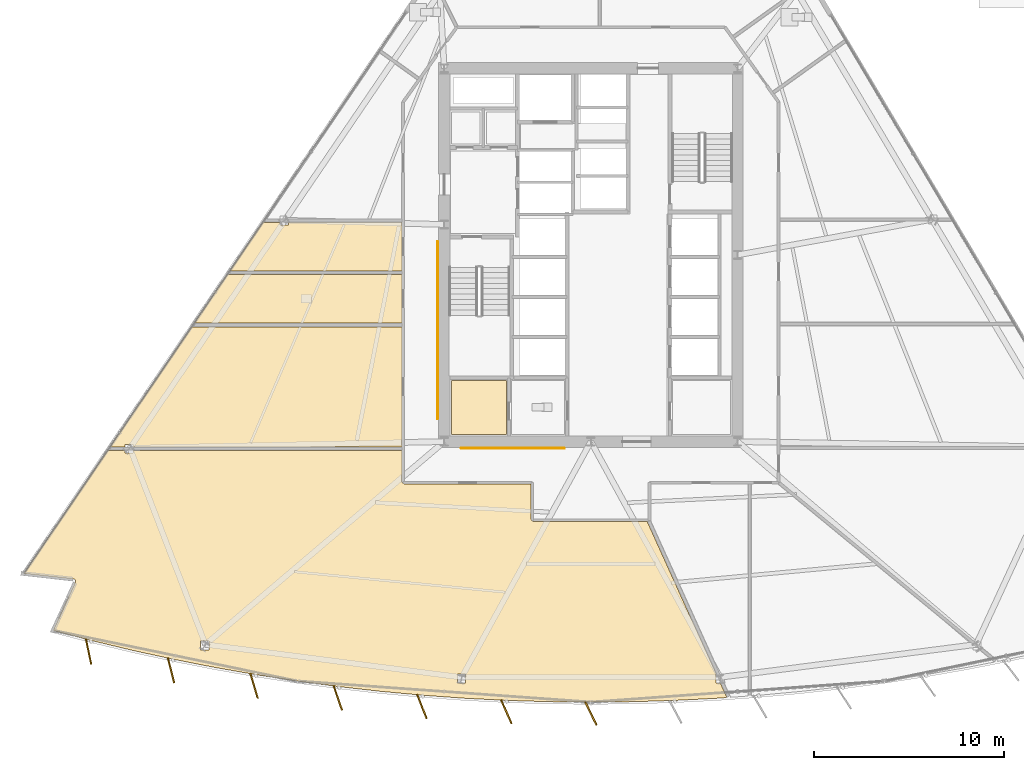
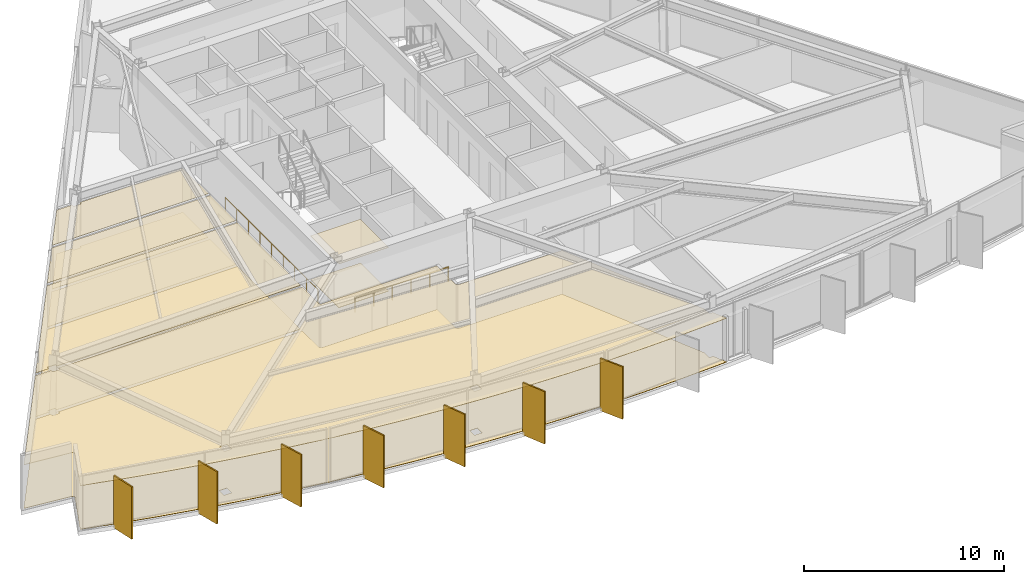
# One storey, part 12 of 16: 10 coverings, 7 shading devices, 2 railings.
"""IFC4 building model written with IfcOpenShell, lengths in metres."""

from ifc_helpers import new_model, si_unit, direction, frame, origin, origin_2d, place, context, subcontext, project, spatial, polyline, rectangle, circle, outline, extrude, material, layer, layer_set, type_object, element, save


model = new_model("IFC4")

# Units and contexts
model_context = context("Model", 3, precision=1e-05, world=origin(), true_north=direction((0.0, 1.0)))
body_context = subcontext(model_context, "Body", "Model", "MODEL_VIEW")
ifc_project = project(units=[si_unit("LENGTHUNIT", "METRE"), si_unit("AREAUNIT", "SQUARE_METRE"), si_unit("VOLUMEUNIT", "CUBIC_METRE"), si_unit("PLANEANGLEUNIT", "RADIAN"), si_unit("MASSUNIT", "GRAM", prefix="KILO")], contexts=[model_context])

# Site, building, storey
site_placement = place(None, origin())
site = spatial("IfcSite", under=ifc_project, at=site_placement, CompositionType="ELEMENT")
building_placement = place(site_placement, origin())
building = spatial("IfcBuilding", under=site, at=building_placement, Name="Savorim Split Tower", CompositionType="ELEMENT")
storey_placement = place(building_placement, frame((0.0, 0.0, 30.0)))
storey = spatial("IfcBuildingStorey", under=building, at=storey_placement, Name="L07", CompositionType="ELEMENT", Elevation=30.0)

# Coverings
ifc_material_1 = material(Name="Mineral Fibre Acoustic Ceiling")
ifc_layer_1 = layer(ifc_material_1, 0.02490234375)
ifc_layer_set_1 = layer_set([ifc_layer_1], Name="COV-CEIL-25")
covering_type_1 = type_object("IfcCoveringType", Name="COV-CEIL-25", PredefinedType="CEILING", material=ifc_layer_set_1)
covering_1_placement = place(storey_placement, frame((0.0, 0.0, 2.669921875)))
element("IfcCovering", 1, at=covering_1_placement, inside=storey, type_object=covering_type_1, Name="L07 Housekeeping Store Acoustic Ceiling", PredefinedType="CEILING", context=body_context, shape_type="SweptSolid", body=[
    extrude(outline(polyline([(-7.320068359375, -6.179931640625), (-7.320068359375, -9.02001953125), (-4.429931640625, -9.02001953125), (-4.429931640625, -6.179931640625), (-7.320068359375, -6.179931640625)])), origin(), (0.0, 0.0, 1.0), 0.025146484375),
])
covering_2_placement = place(storey_placement, frame((0.0, 0.0, 2.669921875)))
element("IfcCovering", 2, at=covering_2_placement, inside=storey, type_object=covering_type_1, Name="L07 Shared Kitchen Acoustic Ceiling", PredefinedType="CEILING", context=body_context, shape_type="SweptSolid", body=[
    extrude(outline(polyline([(-19.0859375, -0.6298828125), (-20.8203125, -3.1796875), (-9.919921875, -3.1796875), (-9.919921875, -0.6298828125), (-19.0859375, -0.6298828125)])), origin(), (0.0, 0.0, 1.0), 0.025146484375),
])
covering_3_placement = place(storey_placement, frame((0.0, 0.0, 2.669921875)))
element("IfcCovering", 3, at=covering_3_placement, inside=storey, type_object=covering_type_1, Name="L07 Maker Workshop Acoustic Ceiling", PredefinedType="CEILING", context=body_context, shape_type="SweptSolid", body=[
    extrude(outline(polyline([(-24.030517578125, -9.544921875), (-24.030517578125, -9.682861328125), (-9.919921875, -9.682861328125), (-9.919921875, -3.36962890625), (-20.94970703125, -3.36962890625), (-25.244384765625, -9.682861328125), (-24.466552734375, -9.682861328125), (-24.466552734375, -9.544921875), (-24.030517578125, -9.544921875)])), origin(), (0.0, 0.0, 1.0), 0.025146484375),
])
covering_4_placement = place(storey_placement, frame((0.0, 0.0, 2.669921875)))
element("IfcCovering", 4, at=covering_4_placement, inside=storey, type_object=covering_type_1, Name="L07 Co-Working Commons Acoustic Ceiling", PredefinedType="CEILING", context=body_context, shape_type="SweptSolid", body=[
    extrude(outline(polyline([(-27.05615234375, -16.739990234375), (-27.056884765625, -16.751708984375), (-27.05908203125, -16.763671875), (-27.0625, -16.77490234375), (-27.06689453125, -16.7861328125), (-28.231201171875, -19.320068359375), (-26.232177734375, -19.843017578125), (-24.0849609375, -20.357666015625), (-21.927490234375, -20.82861328125), (-19.760986328125, -21.255126953125), (-17.586181640625, -21.63720703125), (-15.404296875, -21.974853515625), (-13.215576171875, -22.267578125), (-11.021484375, -22.515625), (-8.82275390625, -22.71875), (-6.6201171875, -22.876708984375), (-4.4150390625, -22.989501953125), (-2.2080078125, -23.057373046875), (0.0, -23.080078125), (2.2080078125, -23.057373046875), (4.4150390625, -22.989501953125), (6.6201171875, -22.876708984375), (7.141845703125, -22.83935546875), (6.7958984375, -22.074951171875), (6.57666015625, -22.074951171875), (6.57666015625, -21.60888671875), (6.584716796875, -21.60888671875), (2.967041015625, -13.618408203125), (2.9541015625, -13.590087890625), (-3.0, -13.590087890625), (-3.013671875, -13.58935546875), (-3.02734375, -13.58740234375), (-3.04052734375, -13.583984375), (-3.0537109375, -13.579345703125), (-3.06591796875, -13.573486328125), (-3.077880859375, -13.56640625), (-3.0888671875, -13.55810546875), (-3.09912109375, -13.549072265625), (-3.108154296875, -13.538818359375), (-3.116455078125, -13.52783203125), (-3.12353515625, -13.51611328125), (-3.12939453125, -13.503662109375), (-3.134033203125, -13.490478515625), (-3.13720703125, -13.477294921875), (-3.139404296875, -13.463623046875), (-3.139892578125, -13.449951171875), (-3.139892578125, -11.6201171875), (-9.780029296875, -11.6201171875), (-9.793701171875, -11.619384765625), (-9.807373046875, -11.6171875), (-9.820556640625, -11.614013671875), (-9.83349609375, -11.609375), (-9.845947265625, -11.603515625), (-9.85791015625, -11.596435546875), (-9.868896484375, -11.588134765625), (-9.87890625, -11.5791015625), (-9.88818359375, -11.56884765625), (-9.896484375, -11.557861328125), (-9.903564453125, -11.5458984375), (-9.9091796875, -11.53369140625), (-9.9140625, -11.5205078125), (-9.917236328125, -11.50732421875), (-9.919189453125, -11.49365234375), (-9.919921875, -11.47998046875), (-9.919921875, -9.872802734375), (-24.030517578125, -9.872802734375), (-24.030517578125, -10.010986328125), (-24.466552734375, -10.010986328125), (-24.466552734375, -9.872802734375), (-25.24853515625, -9.872802734375), (-25.343505859375, -9.872802734375), (-25.343505859375, -9.82861328125), (-29.763916015625, -16.326416015625), (-27.16259765625, -16.61669921875), (-27.15087890625, -16.61865234375), (-27.139404296875, -16.62158203125), (-27.128173828125, -16.6259765625), (-27.117431640625, -16.631103515625), (-27.107421875, -16.637451171875), (-27.097900390625, -16.644775390625), (-27.08935546875, -16.653076171875), (-27.08154296875, -16.662109375), (-27.07470703125, -16.671875), (-27.068603515625, -16.68212890625), (-27.06396484375, -16.693115234375), (-27.060302734375, -16.70458984375), (-27.0576171875, -16.716064453125), (-27.056396484375, -16.72802734375), (-27.05615234375, -16.739990234375)]), holes=[polyline([(-20.490966796875, -20.344482421875), (-20.054931640625, -20.344482421875), (-20.054931640625, -19.87841796875), (-20.490966796875, -19.87841796875), (-20.490966796875, -20.344482421875)]), polyline([(-7.0126953125, -22.074951171875), (-6.57666015625, -22.074951171875), (-6.57666015625, -21.60888671875), (-7.0126953125, -21.60888671875), (-7.0126953125, -22.074951171875)])]), origin(), (0.0, 0.0, 1.0), 0.025146484375),
])
covering_5_placement = place(storey_placement, frame((0.0, 0.0, 2.669921875)))
element("IfcCovering", 5, at=covering_5_placement, inside=storey, type_object=covering_type_1, Name="L07 Co-Living Bedroom Acoustic Ceiling", PredefinedType="CEILING", context=body_context, shape_type="SweptSolid", body=[
    extrude(outline(polyline([(-16.314697265625, 2.110107421875), (-17.096923828125, 2.110107421875), (-17.19189453125, 2.110107421875), (-17.19189453125, 2.154296875), (-18.95654296875, -0.439697265625), (-9.919921875, -0.439697265625), (-9.919921875, 2.110107421875), (-15.87890625, 2.110107421875), (-15.87890625, 1.971923828125), (-16.314697265625, 1.971923828125), (-16.314697265625, 2.110107421875)])), origin(), (0.0, 0.0, 1.0), 0.025146484375),
])
ifc_material_2 = material(Name="Porcelain Stoneware Flooring", Category="masonry")
ifc_layer_2 = layer(ifc_material_2, 0.02001953125)
ifc_layer_set_2 = layer_set([ifc_layer_2], Name="COV-FLOR-20")
covering_type_2 = type_object("IfcCoveringType", Name="COV-FLOR-20", PredefinedType="FLOORING", material=ifc_layer_set_2)
covering_6_placement = place(storey_placement, origin())
element("IfcCovering", 6, at=covering_6_placement, inside=storey, type_object=covering_type_2, Name="L07 Housekeeping Store Porcelain Flooring", PredefinedType="FLOORING", context=body_context, shape_type="SweptSolid", body=[
    extrude(outline(polyline([(-7.320068359375, -6.179931640625), (-7.320068359375, -9.02001953125), (-4.429931640625, -9.02001953125), (-4.429931640625, -6.179931640625), (-7.320068359375, -6.179931640625)])), origin(), (0.0, 0.0, 1.0), 0.02001953125),
])
covering_7_placement = place(storey_placement, origin())
element("IfcCovering", 7, at=covering_7_placement, inside=storey, type_object=covering_type_2, Name="L07 Shared Kitchen Porcelain Flooring", PredefinedType="FLOORING", context=body_context, shape_type="SweptSolid", body=[
    extrude(outline(polyline([(-19.0859375, -0.6298828125), (-20.8203125, -3.1796875), (-9.919921875, -3.1796875), (-9.919921875, -0.6298828125), (-19.0859375, -0.6298828125)])), origin(), (0.0, 0.0, 1.0), 0.02001953125),
])
covering_8_placement = place(storey_placement, origin())
element("IfcCovering", 8, at=covering_8_placement, inside=storey, type_object=covering_type_2, Name="L07 Maker Workshop Porcelain Flooring", PredefinedType="FLOORING", context=body_context, shape_type="SweptSolid", body=[
    extrude(outline(polyline([(-24.030517578125, -9.544921875), (-24.030517578125, -9.682861328125), (-9.919921875, -9.682861328125), (-9.919921875, -3.36962890625), (-20.94970703125, -3.36962890625), (-25.244384765625, -9.682861328125), (-24.466552734375, -9.682861328125), (-24.466552734375, -9.544921875), (-24.030517578125, -9.544921875)])), origin(), (0.0, 0.0, 1.0), 0.02001953125),
])
covering_9_placement = place(storey_placement, origin())
element("IfcCovering", 9, at=covering_9_placement, inside=storey, type_object=covering_type_2, Name="L07 Co-Working Commons Porcelain Flooring", PredefinedType="FLOORING", context=body_context, shape_type="SweptSolid", body=[
    extrude(outline(polyline([(-27.05615234375, -16.739990234375), (-27.056884765625, -16.751708984375), (-27.05908203125, -16.763671875), (-27.0625, -16.77490234375), (-27.06689453125, -16.7861328125), (-28.231201171875, -19.320068359375), (-26.232177734375, -19.843017578125), (-24.0849609375, -20.357666015625), (-21.927490234375, -20.82861328125), (-19.760986328125, -21.255126953125), (-17.586181640625, -21.63720703125), (-15.404296875, -21.974853515625), (-13.215576171875, -22.267578125), (-11.021484375, -22.515625), (-8.82275390625, -22.71875), (-6.6201171875, -22.876708984375), (-4.4150390625, -22.989501953125), (-2.2080078125, -23.057373046875), (0.0, -23.080078125), (2.2080078125, -23.057373046875), (4.4150390625, -22.989501953125), (6.6201171875, -22.876708984375), (7.141845703125, -22.83935546875), (6.7958984375, -22.074951171875), (6.57666015625, -22.074951171875), (6.57666015625, -21.60888671875), (6.584716796875, -21.60888671875), (2.967041015625, -13.618408203125), (2.9541015625, -13.590087890625), (-3.0, -13.590087890625), (-3.013671875, -13.58935546875), (-3.02734375, -13.58740234375), (-3.04052734375, -13.583984375), (-3.0537109375, -13.579345703125), (-3.06591796875, -13.573486328125), (-3.077880859375, -13.56640625), (-3.0888671875, -13.55810546875), (-3.09912109375, -13.549072265625), (-3.108154296875, -13.538818359375), (-3.116455078125, -13.52783203125), (-3.12353515625, -13.51611328125), (-3.12939453125, -13.503662109375), (-3.134033203125, -13.490478515625), (-3.13720703125, -13.477294921875), (-3.139404296875, -13.463623046875), (-3.139892578125, -13.449951171875), (-3.139892578125, -11.6201171875), (-9.780029296875, -11.6201171875), (-9.793701171875, -11.619384765625), (-9.807373046875, -11.6171875), (-9.820556640625, -11.614013671875), (-9.83349609375, -11.609375), (-9.845947265625, -11.603515625), (-9.85791015625, -11.596435546875), (-9.868896484375, -11.588134765625), (-9.87890625, -11.5791015625), (-9.88818359375, -11.56884765625), (-9.896484375, -11.557861328125), (-9.903564453125, -11.5458984375), (-9.9091796875, -11.53369140625), (-9.9140625, -11.5205078125), (-9.917236328125, -11.50732421875), (-9.919189453125, -11.49365234375), (-9.919921875, -11.47998046875), (-9.919921875, -9.872802734375), (-24.030517578125, -9.872802734375), (-24.030517578125, -10.010986328125), (-24.466552734375, -10.010986328125), (-24.466552734375, -9.872802734375), (-25.24853515625, -9.872802734375), (-25.343505859375, -9.872802734375), (-25.343505859375, -9.82861328125), (-29.763916015625, -16.326416015625), (-27.16259765625, -16.61669921875), (-27.15087890625, -16.61865234375), (-27.139404296875, -16.62158203125), (-27.128173828125, -16.6259765625), (-27.117431640625, -16.631103515625), (-27.107421875, -16.637451171875), (-27.097900390625, -16.644775390625), (-27.08935546875, -16.653076171875), (-27.08154296875, -16.662109375), (-27.07470703125, -16.671875), (-27.068603515625, -16.68212890625), (-27.06396484375, -16.693115234375), (-27.060302734375, -16.70458984375), (-27.0576171875, -16.716064453125), (-27.056396484375, -16.72802734375), (-27.05615234375, -16.739990234375)]), holes=[polyline([(-20.490966796875, -20.344482421875), (-20.054931640625, -20.344482421875), (-20.054931640625, -19.87841796875), (-20.490966796875, -19.87841796875), (-20.490966796875, -20.344482421875)]), polyline([(-7.0126953125, -22.074951171875), (-6.57666015625, -22.074951171875), (-6.57666015625, -21.60888671875), (-7.0126953125, -21.60888671875), (-7.0126953125, -22.074951171875)])]), origin(), (0.0, 0.0, 1.0), 0.02001953125),
])
covering_10_placement = place(storey_placement, origin())
element("IfcCovering", 10, at=covering_10_placement, inside=storey, type_object=covering_type_2, Name="L07 Co-Living Bedroom Porcelain Flooring", PredefinedType="FLOORING", context=body_context, shape_type="SweptSolid", body=[
    extrude(outline(polyline([(-16.314697265625, 2.110107421875), (-17.096923828125, 2.110107421875), (-17.19189453125, 2.110107421875), (-17.19189453125, 2.154296875), (-18.95654296875, -0.439697265625), (-9.919921875, -0.439697265625), (-9.919921875, 2.110107421875), (-15.87890625, 2.110107421875), (-15.87890625, 1.971923828125), (-16.314697265625, 1.971923828125), (-16.314697265625, 2.110107421875)])), origin(), (0.0, 0.0, 1.0), 0.02001953125),
])

# Railings
ifc_material_3 = material(Name="Galvanised Painted Steel Balustrade", Category="steel")
railing_type = type_object("IfcRailingType", Name="RLG-HR-900", PredefinedType="HANDRAIL", material=ifc_material_3)
railing_1_placement = place(storey_placement, frame((-6.800048828125, -9.75, 0.0)))
element("IfcRailing", 11, at=railing_1_placement, inside=storey, type_object=railing_type, Name="L07 Corridor South Accessible Handrail", PredefinedType="HANDRAIL", context=body_context, shape_type="SweptSolid", body=[
    extrude(circle(Radius=0.02392578125, at=origin_2d()), frame((0.0, 0.0, 0.8759765625), z_axis=(1.0, 0.0, 0.0), x_axis=(0.0, 1.0, 0.0)), (0.0, 0.0, 1.0), 5.400146484375),
    extrude(circle(Radius=0.02099609375, at=origin_2d()), origin(), (0.0, 0.0, 1.0), 0.851806640625),
    extrude(circle(Radius=0.02099609375, at=origin_2d()), frame((1.080078125, 0.0, 0.0)), (0.0, 0.0, 1.0), 0.851806640625),
    extrude(circle(Radius=0.02099609375, at=origin_2d()), frame((2.16015625, 0.0, 0.0)), (0.0, 0.0, 1.0), 0.851806640625),
    extrude(circle(Radius=0.02099609375, at=origin_2d()), frame((3.239990234375, 0.0, 0.0)), (0.0, 0.0, 1.0), 0.851806640625),
    extrude(circle(Radius=0.02099609375, at=origin_2d()), frame((4.320068359375, 0.0, 0.0)), (0.0, 0.0, 1.0), 0.851806640625),
    extrude(circle(Radius=0.02099609375, at=origin_2d()), frame((5.400146484375, 0.0, 0.0)), (0.0, 0.0, 1.0), 0.851806640625),
])
railing_2_placement = place(storey_placement, frame((-8.050048828125, -8.199951171875, 0.0)))
element("IfcRailing", 12, at=railing_2_placement, inside=storey, type_object=railing_type, Name="L07 Corridor West Accessible Handrail", PredefinedType="HANDRAIL", context=body_context, shape_type="SweptSolid", body=[
    extrude(circle(Radius=0.02392578125, at=origin_2d()), frame((0.0, 0.0, 0.8759765625), z_axis=(0.0, 1.0, 0.0), x_axis=(-1.0, 0.0, 0.0)), (0.0, 0.0, 1.0), 9.300048828125),
    extrude(circle(Radius=0.02099609375, at=origin_2d()), origin(), (0.0, 0.0, 1.0), 0.851806640625),
    extrude(circle(Radius=0.02099609375, at=origin_2d()), frame((0.0, 1.16259765625, 0.0)), (0.0, 0.0, 1.0), 0.851806640625),
    extrude(circle(Radius=0.02099609375, at=origin_2d()), frame((0.0, 2.324951171875, 0.0)), (0.0, 0.0, 1.0), 0.851806640625),
    extrude(circle(Radius=0.02099609375, at=origin_2d()), frame((0.0, 3.487548828125, 0.0)), (0.0, 0.0, 1.0), 0.851806640625),
    extrude(circle(Radius=0.02099609375, at=origin_2d()), frame((0.0, 4.64990234375, 0.0)), (0.0, 0.0, 1.0), 0.851806640625),
    extrude(circle(Radius=0.02099609375, at=origin_2d()), frame((0.0, 5.8125, 0.0)), (0.0, 0.0, 1.0), 0.851806640625),
    extrude(circle(Radius=0.02099609375, at=origin_2d()), frame((0.0, 6.97509765625, 0.0)), (0.0, 0.0, 1.0), 0.851806640625),
    extrude(circle(Radius=0.02099609375, at=origin_2d()), frame((0.0, 8.137451171875, 0.0)), (0.0, 0.0, 1.0), 0.851806640625),
    extrude(circle(Radius=0.02099609375, at=origin_2d()), frame((0.0, 9.300048828125, 0.0)), (0.0, 0.0, 1.0), 0.851806640625),
])

# Shading devices
ifc_material_4 = material(Name="Terracotta Ceramic-Coated Aluminium Fin", Category="masonry")
shading_device_type = type_object("IfcShadingDeviceType", Name="SHD-FIN-1360", PredefinedType="USERDEFINED", material=ifc_material_4)
for number, where, z_axis, x_axis, name in (
    (13, (-26.377197265625, -20.4208984375, -0.2001953125), (0.0, 0.0, 1.0), (0.206721626106, -0.978399800337, 0.0), "L07 Sawtooth Shading Fin 01"),
    (14, (-22.048583984375, -21.412109375, -0.2001953125), (0.0, 0.0, 1.0), (0.246581250663, -0.969122121727, 0.0), "L07 Sawtooth Shading Fin 02"),
    (15, (-17.68359375, -22.225341796875, -0.2001953125), (0.0, 0.0, 1.0), (0.286026212504, -0.958221793616, 0.0), "L07 Sawtooth Shading Fin 03"),
    (16, (-13.28857421875, -22.859130859375, -0.2001953125), (0.0, 0.0, 1.0), (0.324993810493, -0.945716143005, 0.0), "L07 Sawtooth Shading Fin 04"),
    (17, (-8.871337890625, -23.312744140625, -0.2001953125), (0.0, 0.0, 1.0), (0.363415461732, -0.931627179817, 0.0), "L07 Sawtooth Shading Fin 05"),
    (18, (-4.439453125, -23.585205078125, -0.2001953125), (0.0, 0.0, 1.0), (0.401230091723, -0.915977299662, 0.0), "L07 Sawtooth Shading Fin 06"),
    (19, (0.0, -23.676025390625, -0.2001953125), (0.0, 0.0, 1.0), (0.438371146789, -0.898794046299, 0.0), "L07 Sawtooth Shading Fin 07"),
):
    element("IfcShadingDevice", number, at=place(storey_placement, frame(where, z_axis=z_axis, x_axis=x_axis)), inside=storey, type_object=shading_device_type, Name=name, ObjectType="FIN", PredefinedType="USERDEFINED", context=body_context, shape_type="SweptSolid", body=[
        extrude(rectangle(XDim=1.360107421875, YDim=0.080078125, at=origin_2d()), origin(), (0.0, 0.0, 1.0), 3.199951171875),
    ])

save(model, "model.ifc")
